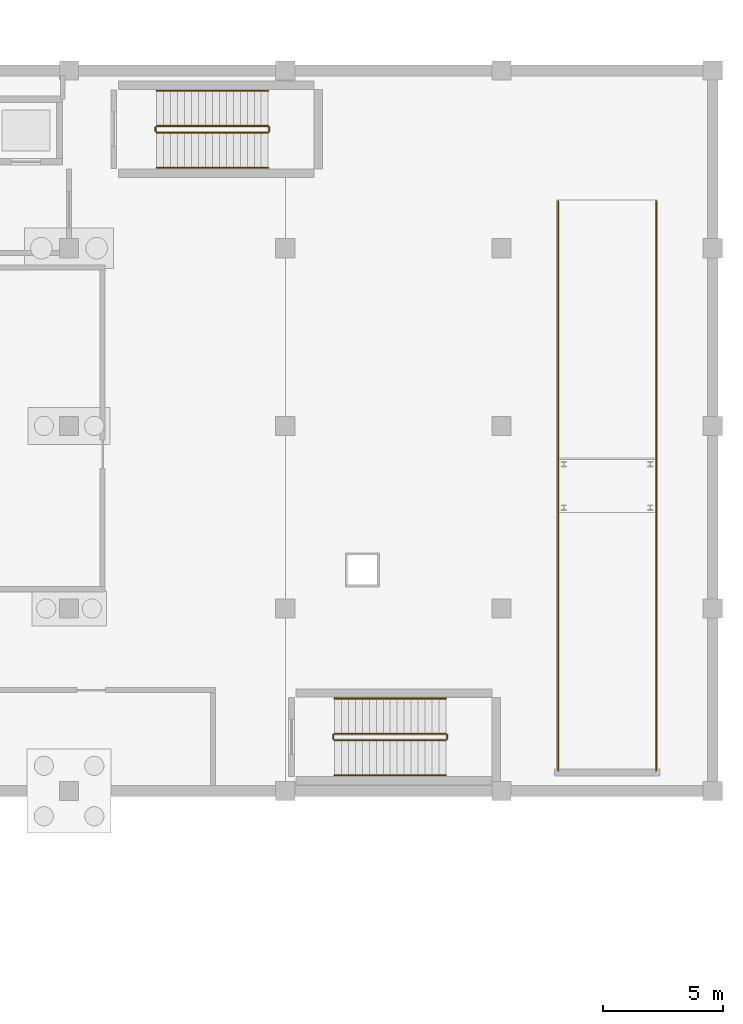
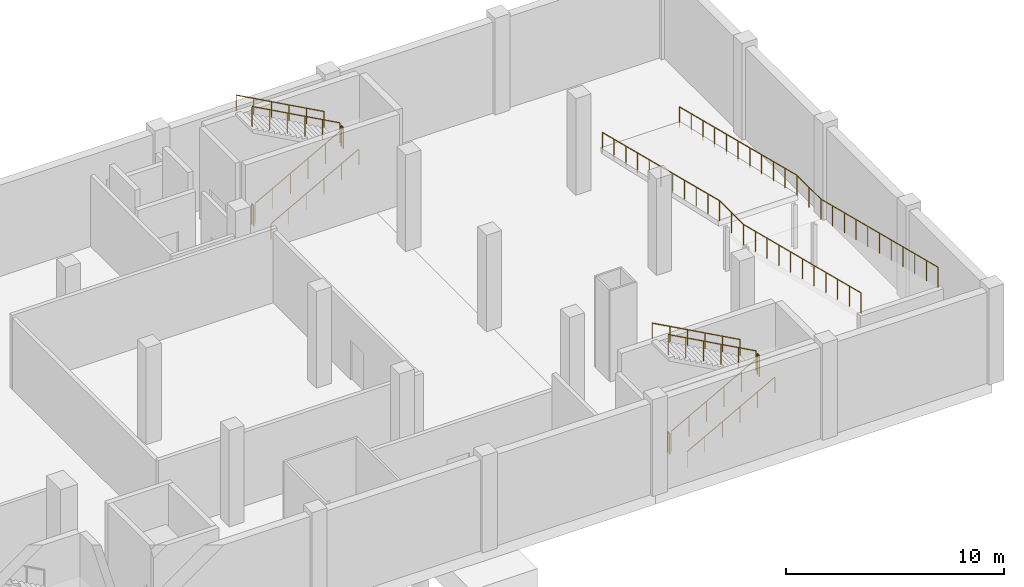
# One storey, part 19 of 20: 14 railings.
"""IFC4 building model written with IfcOpenShell, lengths in metres."""

from ifc_helpers import new_model, si_unit, direction, frame, origin, origin_2d, place, context, subcontext, project, spatial, circle, extrude, material, type_object, element, save


model = new_model("IFC4")

# Units and contexts
model_context = context("Model", 3, precision=1e-05, world=origin(), true_north=direction((0.0, 1.0)))
body_context = subcontext(model_context, "Body", "Model", "MODEL_VIEW")
ifc_project = project(units=[si_unit("LENGTHUNIT", "METRE"), si_unit("AREAUNIT", "SQUARE_METRE"), si_unit("VOLUMEUNIT", "CUBIC_METRE"), si_unit("PLANEANGLEUNIT", "RADIAN"), si_unit("MASSUNIT", "GRAM", prefix="KILO")], contexts=[model_context])

# Site, building, storey
site_placement = place(None, origin())
site = spatial("IfcSite", under=ifc_project, at=site_placement, CompositionType="ELEMENT")
building_placement = place(site_placement, origin())
building = spatial("IfcBuilding", under=site, at=building_placement, Name="Shengluoqiao Park Theatre", CompositionType="ELEMENT")
storey_placement = place(building_placement, frame((0.0, 0.0, -5.39990234375)))
storey = spatial("IfcBuildingStorey", under=building, at=storey_placement, Name="B1", CompositionType="ELEMENT", Elevation=-5.39990234375)

# Railings
ifc_material_1 = material(Name="Stainless steel 316", Category="steel")
railing_type_1 = type_object("IfcRailingType", Name="ENV-RL-GRD115", PredefinedType="GUARDRAIL", material=ifc_material_1)
railing_1_placement = place(storey_placement, frame((150.760009765625, 108.550048828125, 0.0)))
element("IfcRailing", 1, at=railing_1_placement, inside=storey, type_object=railing_type_1, Name="Car Park Vehicle Ramp R1 Safety Guard W", PredefinedType="GUARDRAIL", context=body_context, shape_type="SweptSolid", body=[
    extrude(circle(Radius=0.02392578125, at=origin_2d()), frame((0.0, 0.0, 1.1259765625), z_axis=(0.0, -0.969877604183, 0.243592760371), x_axis=(1.0, 0.0, 0.0)), (0.0, 0.0, 1.0), 11.083984375),
    extrude(circle(Radius=0.02392578125, at=origin_2d()), frame((0.0, -10.75, 3.82568359375), z_axis=(0.0, -1.0, 0.0), x_axis=(1.0, 0.0, 0.0)), (0.0, 0.0, 1.0), 2.199951171875),
    extrude(circle(Radius=0.02392578125, at=origin_2d()), frame((0.0, -12.949951171875, 3.82568359375), z_axis=(0.0, -0.969877604183, 0.243592760371), x_axis=(1.0, 0.0, 0.0)), (0.0, 0.0, 1.0), 11.083984375),
    extrude(circle(Radius=0.02099609375, at=origin_2d()), origin(), (0.0, 0.0, 1.0), 1.101806640625),
    extrude(circle(Radius=0.02099609375, at=origin_2d()), frame((0.0, -1.074951171875, 0.27001953125)), (0.0, 0.0, 1.0), 1.101806640625),
    extrude(circle(Radius=0.02099609375, at=origin_2d()), frame((0.0, -2.14990234375, 0.5400390625)), (0.0, 0.0, 1.0), 1.101806640625),
    extrude(circle(Radius=0.02099609375, at=origin_2d()), frame((0.0, -3.22509765625, 0.81005859375)), (0.0, 0.0, 1.0), 1.101806640625),
    extrude(circle(Radius=0.02099609375, at=origin_2d()), frame((0.0, -4.300048828125, 1.080078125)), (0.0, 0.0, 1.0), 1.101806640625),
    extrude(circle(Radius=0.02099609375, at=origin_2d()), frame((0.0, -5.375, 1.35009765625)), (0.0, 0.0, 1.0), 1.101806640625),
    extrude(circle(Radius=0.02099609375, at=origin_2d()), frame((0.0, -6.449951171875, 1.619873046875)), (0.0, 0.0, 1.0), 1.101806640625),
    extrude(circle(Radius=0.02099609375, at=origin_2d()), frame((0.0, -7.52490234375, 1.889892578125)), (0.0, 0.0, 1.0), 1.101806640625),
    extrude(circle(Radius=0.02099609375, at=origin_2d()), frame((0.0, -8.60009765625, 2.159912109375)), (0.0, 0.0, 1.0), 1.101806640625),
    extrude(circle(Radius=0.02099609375, at=origin_2d()), frame((0.0, -9.675048828125, 2.429931640625)), (0.0, 0.0, 1.0), 1.101806640625),
    extrude(circle(Radius=0.02099609375, at=origin_2d()), frame((0.0, -10.75, 2.699951171875)), (0.0, 0.0, 1.0), 1.101806640625),
    extrude(circle(Radius=0.02099609375, at=origin_2d()), frame((0.0, -11.85009765625, 2.699951171875)), (0.0, 0.0, 1.0), 1.101806640625),
    extrude(circle(Radius=0.02099609375, at=origin_2d()), frame((0.0, -12.949951171875, 2.699951171875)), (0.0, 0.0, 1.0), 1.101806640625),
    extrude(circle(Radius=0.02099609375, at=origin_2d()), frame((0.0, -14.02490234375, 2.969970703125)), (0.0, 0.0, 1.0), 1.101806640625),
    extrude(circle(Radius=0.02099609375, at=origin_2d()), frame((0.0, -15.099853515625, 3.239990234375)), (0.0, 0.0, 1.0), 1.101806640625),
    extrude(circle(Radius=0.02099609375, at=origin_2d()), frame((0.0, -16.175048828125, 3.510009765625)), (0.0, 0.0, 1.0), 1.101806640625),
    extrude(circle(Radius=0.02099609375, at=origin_2d()), frame((0.0, -17.25, 3.780029296875)), (0.0, 0.0, 1.0), 1.101806640625),
    extrude(circle(Radius=0.02099609375, at=origin_2d()), frame((0.0, -18.324951171875, 4.0498046875)), (0.0, 0.0, 1.0), 1.101806640625),
    extrude(circle(Radius=0.02099609375, at=origin_2d()), frame((0.0, -19.39990234375, 4.31982421875)), (0.0, 0.0, 1.0), 1.101806640625),
    extrude(circle(Radius=0.02099609375, at=origin_2d()), frame((0.0, -20.474853515625, 4.58984375)), (0.0, 0.0, 1.0), 1.101806640625),
    extrude(circle(Radius=0.02099609375, at=origin_2d()), frame((0.0, -21.550048828125, 4.85986328125)), (0.0, 0.0, 1.0), 1.101806640625),
    extrude(circle(Radius=0.02099609375, at=origin_2d()), frame((0.0, -22.625, 5.1298828125)), (0.0, 0.0, 1.0), 1.101806640625),
    extrude(circle(Radius=0.02099609375, at=origin_2d()), frame((0.0, -23.699951171875, 5.39990234375)), (0.0, 0.0, 1.0), 1.101806640625),
])
railing_2_placement = place(storey_placement, frame((154.840087890625, 108.550048828125, 0.0)))
element("IfcRailing", 2, at=railing_2_placement, inside=storey, type_object=railing_type_1, Name="Car Park Vehicle Ramp R1 Safety Guard E", PredefinedType="GUARDRAIL", context=body_context, shape_type="SweptSolid", body=[
    extrude(circle(Radius=0.02392578125, at=origin_2d()), frame((0.0, 0.0, 1.1259765625), z_axis=(0.0, -0.969877604183, 0.243592760371), x_axis=(1.0, 0.0, 0.0)), (0.0, 0.0, 1.0), 11.083984375),
    extrude(circle(Radius=0.02392578125, at=origin_2d()), frame((0.0, -10.75, 3.82568359375), z_axis=(0.0, -1.0, 0.0), x_axis=(1.0, 0.0, 0.0)), (0.0, 0.0, 1.0), 2.199951171875),
    extrude(circle(Radius=0.02392578125, at=origin_2d()), frame((0.0, -12.949951171875, 3.82568359375), z_axis=(0.0, -0.969877604183, 0.243592760371), x_axis=(1.0, 0.0, 0.0)), (0.0, 0.0, 1.0), 11.083984375),
    extrude(circle(Radius=0.02099609375, at=origin_2d()), origin(), (0.0, 0.0, 1.0), 1.101806640625),
    extrude(circle(Radius=0.02099609375, at=origin_2d()), frame((0.0, -1.074951171875, 0.27001953125)), (0.0, 0.0, 1.0), 1.101806640625),
    extrude(circle(Radius=0.02099609375, at=origin_2d()), frame((0.0, -2.14990234375, 0.5400390625)), (0.0, 0.0, 1.0), 1.101806640625),
    extrude(circle(Radius=0.02099609375, at=origin_2d()), frame((0.0, -3.22509765625, 0.81005859375)), (0.0, 0.0, 1.0), 1.101806640625),
    extrude(circle(Radius=0.02099609375, at=origin_2d()), frame((0.0, -4.300048828125, 1.080078125)), (0.0, 0.0, 1.0), 1.101806640625),
    extrude(circle(Radius=0.02099609375, at=origin_2d()), frame((0.0, -5.375, 1.35009765625)), (0.0, 0.0, 1.0), 1.101806640625),
    extrude(circle(Radius=0.02099609375, at=origin_2d()), frame((0.0, -6.449951171875, 1.619873046875)), (0.0, 0.0, 1.0), 1.101806640625),
    extrude(circle(Radius=0.02099609375, at=origin_2d()), frame((0.0, -7.52490234375, 1.889892578125)), (0.0, 0.0, 1.0), 1.101806640625),
    extrude(circle(Radius=0.02099609375, at=origin_2d()), frame((0.0, -8.60009765625, 2.159912109375)), (0.0, 0.0, 1.0), 1.101806640625),
    extrude(circle(Radius=0.02099609375, at=origin_2d()), frame((0.0, -9.675048828125, 2.429931640625)), (0.0, 0.0, 1.0), 1.101806640625),
    extrude(circle(Radius=0.02099609375, at=origin_2d()), frame((0.0, -10.75, 2.699951171875)), (0.0, 0.0, 1.0), 1.101806640625),
    extrude(circle(Radius=0.02099609375, at=origin_2d()), frame((0.0, -11.85009765625, 2.699951171875)), (0.0, 0.0, 1.0), 1.101806640625),
    extrude(circle(Radius=0.02099609375, at=origin_2d()), frame((0.0, -12.949951171875, 2.699951171875)), (0.0, 0.0, 1.0), 1.101806640625),
    extrude(circle(Radius=0.02099609375, at=origin_2d()), frame((0.0, -14.02490234375, 2.969970703125)), (0.0, 0.0, 1.0), 1.101806640625),
    extrude(circle(Radius=0.02099609375, at=origin_2d()), frame((0.0, -15.099853515625, 3.239990234375)), (0.0, 0.0, 1.0), 1.101806640625),
    extrude(circle(Radius=0.02099609375, at=origin_2d()), frame((0.0, -16.175048828125, 3.510009765625)), (0.0, 0.0, 1.0), 1.101806640625),
    extrude(circle(Radius=0.02099609375, at=origin_2d()), frame((0.0, -17.25, 3.780029296875)), (0.0, 0.0, 1.0), 1.101806640625),
    extrude(circle(Radius=0.02099609375, at=origin_2d()), frame((0.0, -18.324951171875, 4.0498046875)), (0.0, 0.0, 1.0), 1.101806640625),
    extrude(circle(Radius=0.02099609375, at=origin_2d()), frame((0.0, -19.39990234375, 4.31982421875)), (0.0, 0.0, 1.0), 1.101806640625),
    extrude(circle(Radius=0.02099609375, at=origin_2d()), frame((0.0, -20.474853515625, 4.58984375)), (0.0, 0.0, 1.0), 1.101806640625),
    extrude(circle(Radius=0.02099609375, at=origin_2d()), frame((0.0, -21.550048828125, 4.85986328125)), (0.0, 0.0, 1.0), 1.101806640625),
    extrude(circle(Radius=0.02099609375, at=origin_2d()), frame((0.0, -22.625, 5.1298828125)), (0.0, 0.0, 1.0), 1.101806640625),
    extrude(circle(Radius=0.02099609375, at=origin_2d()), frame((0.0, -23.699951171875, 5.39990234375)), (0.0, 0.0, 1.0), 1.101806640625),
])
ifc_material_2 = material(Name="Painted steel", Category="steel")
railing_type_2 = type_object("IfcRailingType", Name="INT-RL-STGRD", PredefinedType="GUARDRAIL", material=ifc_material_2)
railing_3_placement = place(storey_placement, frame((134.050048828125, 111.409912109375, 0.15869140625)))
element("IfcRailing", 3, at=railing_3_placement, inside=storey, type_object=railing_type_2, Name="B1 ST-06 stair guard 1", PredefinedType="GUARDRAIL", context=body_context, shape_type="SweptSolid", body=[
    extrude(circle(Radius=0.02392578125, at=origin_2d()), frame((0.0, 0.0, 1.1259765625), z_axis=(0.877067103421, 0.0, 0.480367875796), x_axis=(0.0, 1.0, 0.0)), (0.0, 0.0, 1.0), 5.290283203125),
    extrude(circle(Radius=0.02099609375, at=origin_2d()), origin(), (0.0, 0.0, 1.0), 1.101806640625),
    extrude(circle(Radius=0.02099609375, at=origin_2d()), frame((0.927978515625, 0.0, 0.50830078125)), (0.0, 0.0, 1.0), 1.101806640625),
    extrude(circle(Radius=0.02099609375, at=origin_2d()), frame((1.85595703125, 0.0, 1.0166015625)), (0.0, 0.0, 1.0), 1.101806640625),
    extrude(circle(Radius=0.02099609375, at=origin_2d()), frame((2.783935546875, 0.0, 1.524658203125)), (0.0, 0.0, 1.0), 1.101806640625),
    extrude(circle(Radius=0.02099609375, at=origin_2d()), frame((3.7119140625, 0.0, 2.032958984375)), (0.0, 0.0, 1.0), 1.101806640625),
    extrude(circle(Radius=0.02099609375, at=origin_2d()), frame((4.639892578125, 0.0, 2.541259765625)), (0.0, 0.0, 1.0), 1.101806640625),
])
railing_4_placement = place(storey_placement, frame((138.739990234375, 111.4599609375, 2.699951171875)))
element("IfcRailing", 4, at=railing_4_placement, inside=storey, type_object=railing_type_2, Name="B1 ST-06 stair guard 2", PredefinedType="GUARDRAIL", context=body_context, shape_type="SweptSolid", body=[
    extrude(circle(Radius=0.02392578125, at=origin_2d()), frame((0.0, 0.0, 1.1259765625), z_axis=(0.0, 1.0, 0.0), x_axis=(-1.0, 0.0, 0.0)), (0.0, 0.0, 1.0), 0.179931640625),
    extrude(circle(Radius=0.02099609375, at=origin_2d()), origin(), (0.0, 0.0, 1.0), 1.101806640625),
    extrude(circle(Radius=0.02099609375, at=origin_2d()), frame((0.0, 0.179931640625, 0.0)), (0.0, 0.0, 1.0), 1.101806640625),
])
railing_5_placement = place(storey_placement, frame((138.68994140625, 111.68994140625, 2.858642578125)))
element("IfcRailing", 5, at=railing_5_placement, inside=storey, type_object=railing_type_2, Name="B1 ST-06 stair guard 3", PredefinedType="GUARDRAIL", context=body_context, shape_type="SweptSolid", body=[
    extrude(circle(Radius=0.02392578125, at=origin_2d()), frame((0.0, 0.0, 1.1259765625), z_axis=(-0.877067103421, 0.0, 0.480367875796), x_axis=(0.0, -1.0, 0.0)), (0.0, 0.0, 1.0), 5.290283203125),
    extrude(circle(Radius=0.02099609375, at=origin_2d()), origin(), (0.0, 0.0, 1.0), 1.101806640625),
    extrude(circle(Radius=0.02099609375, at=origin_2d()), frame((-0.927978515625, 0.0, 0.50830078125)), (0.0, 0.0, 1.0), 1.101806640625),
    extrude(circle(Radius=0.02099609375, at=origin_2d()), frame((-1.85595703125, 0.0, 1.0166015625)), (0.0, 0.0, 1.0), 1.101806640625),
    extrude(circle(Radius=0.02099609375, at=origin_2d()), frame((-2.783935546875, 0.0, 1.524658203125)), (0.0, 0.0, 1.0), 1.101806640625),
    extrude(circle(Radius=0.02099609375, at=origin_2d()), frame((-3.7119140625, 0.0, 2.032958984375)), (0.0, 0.0, 1.0), 1.101806640625),
    extrude(circle(Radius=0.02099609375, at=origin_2d()), frame((-4.639892578125, 0.0, 2.541259765625)), (0.0, 0.0, 1.0), 1.101806640625),
])
railing_6_placement = place(storey_placement, frame((134.0, 111.4599609375, 0.0)))
element("IfcRailing", 6, at=railing_6_placement, inside=storey, type_object=railing_type_2, Name="B1 ST-06 stair guard 4", PredefinedType="GUARDRAIL", context=body_context, shape_type="SweptSolid", body=[
    extrude(circle(Radius=0.02392578125, at=origin_2d()), frame((0.0, 0.0, 1.1259765625), z_axis=(0.0, 1.0, 0.0), x_axis=(-1.0, 0.0, 0.0)), (0.0, 0.0, 1.0), 0.179931640625),
    extrude(circle(Radius=0.02099609375, at=origin_2d()), origin(), (0.0, 0.0, 1.0), 1.101806640625),
    extrude(circle(Radius=0.02099609375, at=origin_2d()), frame((0.0, 0.179931640625, 0.0)), (0.0, 0.0, 1.0), 1.101806640625),
])
railing_7_placement = place(storey_placement, frame((141.449951171875, 86.110107421875, 0.15869140625)))
element("IfcRailing", 7, at=railing_7_placement, inside=storey, type_object=railing_type_2, Name="B1 ST-10 stair guard 1", PredefinedType="GUARDRAIL", context=body_context, shape_type="SweptSolid", body=[
    extrude(circle(Radius=0.02392578125, at=origin_2d()), frame((0.0, 0.0, 1.1259765625), z_axis=(0.877077751873, 0.0, 0.480348433087), x_axis=(0.0, 1.0, 0.0)), (0.0, 0.0, 1.0), 5.29052734375),
    extrude(circle(Radius=0.02099609375, at=origin_2d()), origin(), (0.0, 0.0, 1.0), 1.101806640625),
    extrude(circle(Radius=0.02099609375, at=origin_2d()), frame((0.927978515625, 0.0, 0.50830078125)), (0.0, 0.0, 1.0), 1.101806640625),
    extrude(circle(Radius=0.02099609375, at=origin_2d()), frame((1.85595703125, 0.0, 1.0166015625)), (0.0, 0.0, 1.0), 1.101806640625),
    extrude(circle(Radius=0.02099609375, at=origin_2d()), frame((2.7841796875, 0.0, 1.524658203125)), (0.0, 0.0, 1.0), 1.101806640625),
    extrude(circle(Radius=0.02099609375, at=origin_2d()), frame((3.712158203125, 0.0, 2.032958984375)), (0.0, 0.0, 1.0), 1.101806640625),
    extrude(circle(Radius=0.02099609375, at=origin_2d()), frame((4.64013671875, 0.0, 2.541259765625)), (0.0, 0.0, 1.0), 1.101806640625),
])
railing_8_placement = place(storey_placement, frame((146.139892578125, 86.159912109375, 2.699951171875)))
element("IfcRailing", 8, at=railing_8_placement, inside=storey, type_object=railing_type_2, Name="B1 ST-10 stair guard 2", PredefinedType="GUARDRAIL", context=body_context, shape_type="SweptSolid", body=[
    extrude(circle(Radius=0.02392578125, at=origin_2d()), frame((0.0, 0.0, 1.1259765625), z_axis=(0.0, 1.0, 0.0), x_axis=(-1.0, 0.0, 0.0)), (0.0, 0.0, 1.0), 0.18017578125),
    extrude(circle(Radius=0.02099609375, at=origin_2d()), origin(), (0.0, 0.0, 1.0), 1.101806640625),
    extrude(circle(Radius=0.02099609375, at=origin_2d()), frame((0.0, 0.18017578125, 0.0)), (0.0, 0.0, 1.0), 1.101806640625),
])
railing_9_placement = place(storey_placement, frame((146.090087890625, 86.389892578125, 2.858642578125)))
element("IfcRailing", 9, at=railing_9_placement, inside=storey, type_object=railing_type_2, Name="B1 ST-10 stair guard 3", PredefinedType="GUARDRAIL", context=body_context, shape_type="SweptSolid", body=[
    extrude(circle(Radius=0.02392578125, at=origin_2d()), frame((0.0, 0.0, 1.1259765625), z_axis=(-0.877077751873, 0.0, 0.480348433087), x_axis=(0.0, -1.0, 0.0)), (0.0, 0.0, 1.0), 5.29052734375),
    extrude(circle(Radius=0.02099609375, at=origin_2d()), origin(), (0.0, 0.0, 1.0), 1.101806640625),
    extrude(circle(Radius=0.02099609375, at=origin_2d()), frame((-0.927978515625, 0.0, 0.50830078125)), (0.0, 0.0, 1.0), 1.101806640625),
    extrude(circle(Radius=0.02099609375, at=origin_2d()), frame((-1.85595703125, 0.0, 1.0166015625)), (0.0, 0.0, 1.0), 1.101806640625),
    extrude(circle(Radius=0.02099609375, at=origin_2d()), frame((-2.7841796875, 0.0, 1.524658203125)), (0.0, 0.0, 1.0), 1.101806640625),
    extrude(circle(Radius=0.02099609375, at=origin_2d()), frame((-3.712158203125, 0.0, 2.032958984375)), (0.0, 0.0, 1.0), 1.101806640625),
    extrude(circle(Radius=0.02099609375, at=origin_2d()), frame((-4.64013671875, 0.0, 2.541259765625)), (0.0, 0.0, 1.0), 1.101806640625),
])
railing_10_placement = place(storey_placement, frame((141.39990234375, 86.159912109375, 0.0)))
element("IfcRailing", 10, at=railing_10_placement, inside=storey, type_object=railing_type_2, Name="B1 ST-10 stair guard 4", PredefinedType="GUARDRAIL", context=body_context, shape_type="SweptSolid", body=[
    extrude(circle(Radius=0.02392578125, at=origin_2d()), frame((0.0, 0.0, 1.1259765625), z_axis=(0.0, 1.0, 0.0), x_axis=(-1.0, 0.0, 0.0)), (0.0, 0.0, 1.0), 0.18017578125),
    extrude(circle(Radius=0.02099609375, at=origin_2d()), origin(), (0.0, 0.0, 1.0), 1.101806640625),
    extrude(circle(Radius=0.02099609375, at=origin_2d()), frame((0.0, 0.18017578125, 0.0)), (0.0, 0.0, 1.0), 1.101806640625),
])
ifc_material_3 = material(Name="Stainless steel 304", Category="steel")
railing_type_3 = type_object("IfcRailingType", Name="INT-RL-STHR", PredefinedType="HANDRAIL", material=ifc_material_3)
railing_11_placement = place(storey_placement, frame((134.050048828125, 109.949951171875, 0.15869140625)))
element("IfcRailing", 11, at=railing_11_placement, inside=storey, type_object=railing_type_3, Name="B1 ST-06 stair handrail 1", PredefinedType="HANDRAIL", context=body_context, shape_type="SweptSolid", body=[
    extrude(circle(Radius=0.02392578125, at=origin_2d()), frame((0.0, 0.0, 0.8759765625), z_axis=(0.877067103421, 0.0, 0.480367875796), x_axis=(0.0, 1.0, 0.0)), (0.0, 0.0, 1.0), 5.290283203125),
    extrude(circle(Radius=0.02099609375, at=origin_2d()), origin(), (0.0, 0.0, 1.0), 0.851806640625),
    extrude(circle(Radius=0.02099609375, at=origin_2d()), frame((0.927978515625, 0.0, 0.50830078125)), (0.0, 0.0, 1.0), 0.851806640625),
    extrude(circle(Radius=0.02099609375, at=origin_2d()), frame((1.85595703125, 0.0, 1.0166015625)), (0.0, 0.0, 1.0), 0.851806640625),
    extrude(circle(Radius=0.02099609375, at=origin_2d()), frame((2.783935546875, 0.0, 1.524658203125)), (0.0, 0.0, 1.0), 0.851806640625),
    extrude(circle(Radius=0.02099609375, at=origin_2d()), frame((3.7119140625, 0.0, 2.032958984375)), (0.0, 0.0, 1.0), 0.851806640625),
    extrude(circle(Radius=0.02099609375, at=origin_2d()), frame((4.639892578125, 0.0, 2.541259765625)), (0.0, 0.0, 1.0), 0.851806640625),
])
railing_12_placement = place(storey_placement, frame((138.68994140625, 113.14990234375, 2.858642578125)))
element("IfcRailing", 12, at=railing_12_placement, inside=storey, type_object=railing_type_3, Name="B1 ST-06 stair handrail 2", PredefinedType="HANDRAIL", context=body_context, shape_type="SweptSolid", body=[
    extrude(circle(Radius=0.02392578125, at=origin_2d()), frame((0.0, 0.0, 0.8759765625), z_axis=(-0.877067103421, 0.0, 0.480367875796), x_axis=(0.0, -1.0, 0.0)), (0.0, 0.0, 1.0), 5.290283203125),
    extrude(circle(Radius=0.02099609375, at=origin_2d()), origin(), (0.0, 0.0, 1.0), 0.851806640625),
    extrude(circle(Radius=0.02099609375, at=origin_2d()), frame((-0.927978515625, 0.0, 0.50830078125)), (0.0, 0.0, 1.0), 0.851806640625),
    extrude(circle(Radius=0.02099609375, at=origin_2d()), frame((-1.85595703125, 0.0, 1.0166015625)), (0.0, 0.0, 1.0), 0.851806640625),
    extrude(circle(Radius=0.02099609375, at=origin_2d()), frame((-2.783935546875, 0.0, 1.524658203125)), (0.0, 0.0, 1.0), 0.851806640625),
    extrude(circle(Radius=0.02099609375, at=origin_2d()), frame((-3.7119140625, 0.0, 2.032958984375)), (0.0, 0.0, 1.0), 0.851806640625),
    extrude(circle(Radius=0.02099609375, at=origin_2d()), frame((-4.639892578125, 0.0, 2.541259765625)), (0.0, 0.0, 1.0), 0.851806640625),
])
railing_13_placement = place(storey_placement, frame((141.449951171875, 84.64990234375, 0.15869140625)))
element("IfcRailing", 13, at=railing_13_placement, inside=storey, type_object=railing_type_3, Name="B1 ST-10 stair handrail 1", PredefinedType="HANDRAIL", context=body_context, shape_type="SweptSolid", body=[
    extrude(circle(Radius=0.02392578125, at=origin_2d()), frame((0.0, 0.0, 0.8759765625), z_axis=(0.877077751873, 0.0, 0.480348433087), x_axis=(0.0, 1.0, 0.0)), (0.0, 0.0, 1.0), 5.29052734375),
    extrude(circle(Radius=0.02099609375, at=origin_2d()), origin(), (0.0, 0.0, 1.0), 0.851806640625),
    extrude(circle(Radius=0.02099609375, at=origin_2d()), frame((0.927978515625, 0.0, 0.50830078125)), (0.0, 0.0, 1.0), 0.851806640625),
    extrude(circle(Radius=0.02099609375, at=origin_2d()), frame((1.85595703125, 0.0, 1.0166015625)), (0.0, 0.0, 1.0), 0.851806640625),
    extrude(circle(Radius=0.02099609375, at=origin_2d()), frame((2.7841796875, 0.0, 1.524658203125)), (0.0, 0.0, 1.0), 0.851806640625),
    extrude(circle(Radius=0.02099609375, at=origin_2d()), frame((3.712158203125, 0.0, 2.032958984375)), (0.0, 0.0, 1.0), 0.851806640625),
    extrude(circle(Radius=0.02099609375, at=origin_2d()), frame((4.64013671875, 0.0, 2.541259765625)), (0.0, 0.0, 1.0), 0.851806640625),
])
railing_14_placement = place(storey_placement, frame((146.090087890625, 87.85009765625, 2.858642578125)))
element("IfcRailing", 14, at=railing_14_placement, inside=storey, type_object=railing_type_3, Name="B1 ST-10 stair handrail 2", PredefinedType="HANDRAIL", context=body_context, shape_type="SweptSolid", body=[
    extrude(circle(Radius=0.02392578125, at=origin_2d()), frame((0.0, 0.0, 0.8759765625), z_axis=(-0.877077751873, 0.0, 0.480348433087), x_axis=(0.0, -1.0, 0.0)), (0.0, 0.0, 1.0), 5.29052734375),
    extrude(circle(Radius=0.02099609375, at=origin_2d()), origin(), (0.0, 0.0, 1.0), 0.851806640625),
    extrude(circle(Radius=0.02099609375, at=origin_2d()), frame((-0.927978515625, 0.0, 0.50830078125)), (0.0, 0.0, 1.0), 0.851806640625),
    extrude(circle(Radius=0.02099609375, at=origin_2d()), frame((-1.85595703125, 0.0, 1.0166015625)), (0.0, 0.0, 1.0), 0.851806640625),
    extrude(circle(Radius=0.02099609375, at=origin_2d()), frame((-2.7841796875, 0.0, 1.524658203125)), (0.0, 0.0, 1.0), 0.851806640625),
    extrude(circle(Radius=0.02099609375, at=origin_2d()), frame((-3.712158203125, 0.0, 2.032958984375)), (0.0, 0.0, 1.0), 0.851806640625),
    extrude(circle(Radius=0.02099609375, at=origin_2d()), frame((-4.64013671875, 0.0, 2.541259765625)), (0.0, 0.0, 1.0), 0.851806640625),
])

save(model, "model.ifc")
